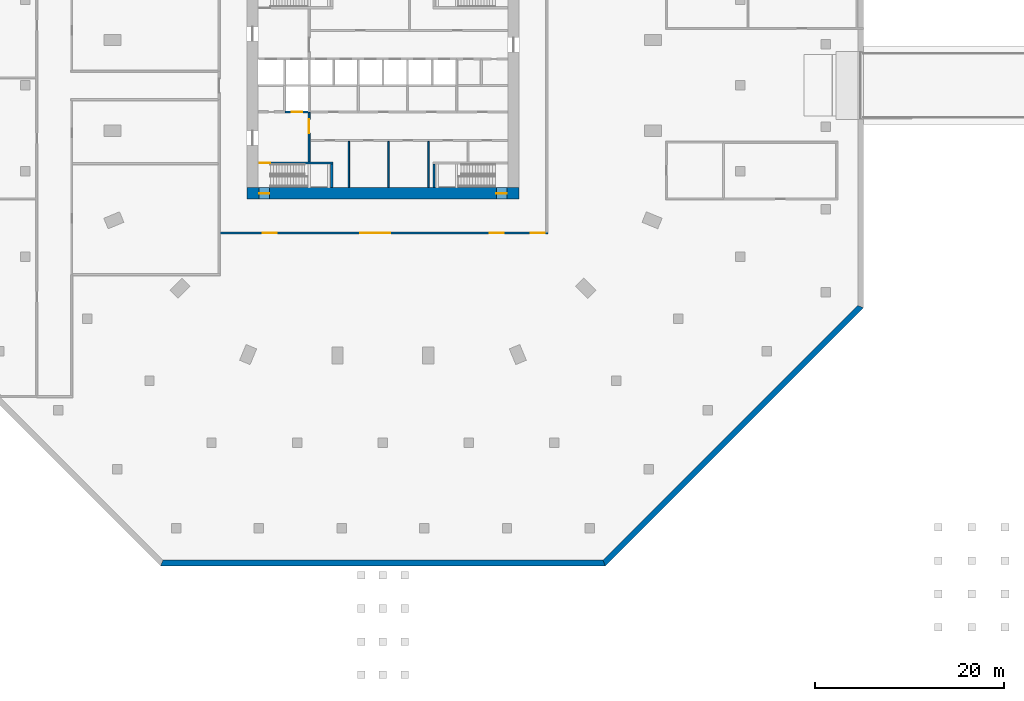
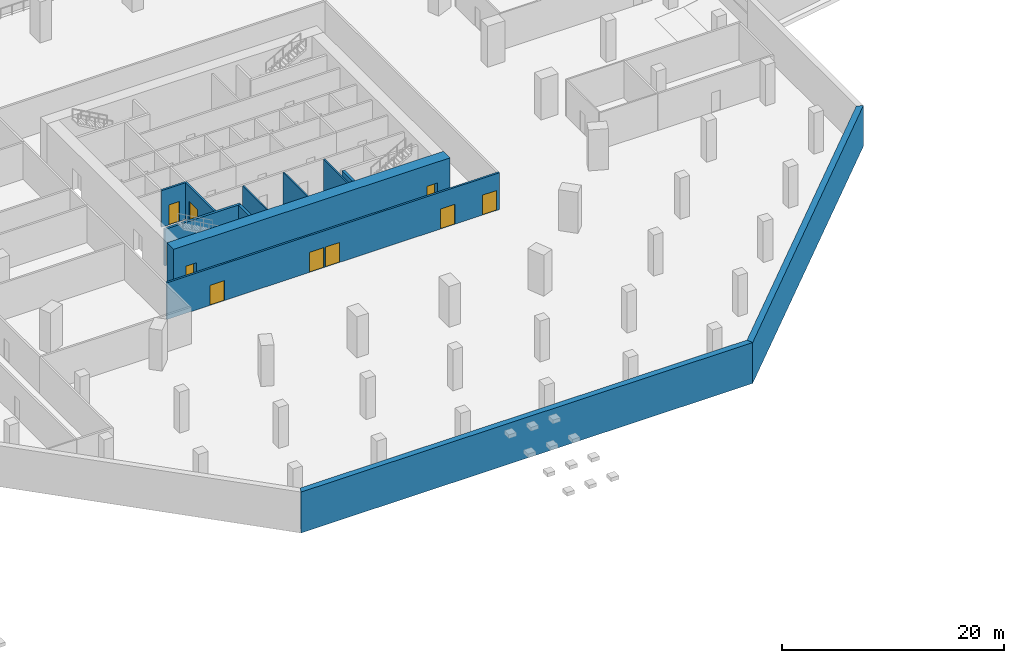
# One storey, part 5 of 11: 12 walls, 10 doors, 10 openings.
"""IFC4 building model written with IfcOpenShell, lengths in metres."""

from ifc_helpers import new_model, si_unit, direction, frame, frame_2d, origin, place, context, subcontext, project, spatial, polyline, rectangle, outline, extrude, material, layer, layer_set, type_object, element, fill, save


model = new_model("IFC4")

# Units and contexts
model_context = context("Model", 3, precision=1e-05, world=origin(), true_north=direction((0.0, 1.0)))
body_context = subcontext(model_context, "Body", "Model", "MODEL_VIEW")
ifc_project = project(units=[si_unit("LENGTHUNIT", "METRE"), si_unit("AREAUNIT", "SQUARE_METRE"), si_unit("VOLUMEUNIT", "CUBIC_METRE"), si_unit("PLANEANGLEUNIT", "RADIAN"), si_unit("MASSUNIT", "GRAM", prefix="KILO")], contexts=[model_context])

# Site, building, storey
site_placement = place(None, origin())
site = spatial("IfcSite", under=ifc_project, at=site_placement, CompositionType="ELEMENT")
building_placement = place(site_placement, origin())
building = spatial("IfcBuilding", under=site, at=building_placement, Name="Msitu Wima Residences", CompositionType="ELEMENT")
storey_placement = place(building_placement, frame((0.0, 0.0, -4.5)))
storey = spatial("IfcBuildingStorey", under=building, at=storey_placement, Name="B1", CompositionType="ELEMENT", Elevation=-4.5)

# Wall, openings, doors
ifc_material_1 = material(Name="Concrete C80/95", Category="concrete")
ifc_layer_1 = layer(ifc_material_1, 1.199951171875)
ifc_layer_set_1 = layer_set([ifc_layer_1], Name="Concrete C80/95")
wall_type_1 = type_object("IfcWallType", Name="Core wall CW1200 C80/95", PredefinedType="SHEAR", material=ifc_layer_set_1)
wall_1_placement = place(storey_placement, frame((-14.39990234375, -11.39990234375, 0.0), z_axis=(0.0, 0.0, 1.0), x_axis=(1.0, 0.0, 0.0)))
wall_1 = element("IfcWall", 1, at=wall_1_placement, inside=storey, type_object=wall_type_1, Name="Core wall", PredefinedType="SHEAR", context=body_context, shape_type="SweptSolid", body=[
    extrude(rectangle(XDim=28.7998046875, YDim=1.199951171875, at=frame_2d((14.39990234375, 0.0))), origin(), (0.0, 0.0, 1.0), 4.5),
])
opening_1_placement = place(wall_1_placement, frame((1.300048828125, 0.0, 0.0)))
opening_1 = element("IfcOpeningElement", 2, at=opening_1_placement, cuts=wall_1, Name="Opening DB1.041", PredefinedType="OPENING", context=body_context, shape_type="SweptSolid", body=[
    extrude(rectangle(XDim=1.10009765625, YDim=2.199951171875, at=frame_2d((0.550048828125, 1.10009765625))), frame((0.0, 0.60986328125, 0.0), z_axis=(0.0, -1.0, 0.0), x_axis=(1.0, 0.0, 0.0)), (0.0, 0.0, 1.0), 1.219970703125),
])
opening_2_placement = place(wall_1_placement, frame((26.39990234375, 0.0, 0.0)))
opening_2 = element("IfcOpeningElement", 3, at=opening_2_placement, cuts=wall_1, Name="Opening DB1.043", PredefinedType="OPENING", context=body_context, shape_type="SweptSolid", body=[
    extrude(rectangle(XDim=1.10009765625, YDim=2.199951171875, at=frame_2d((0.550048828125, 1.10009765625))), frame((0.0, 0.60986328125, 0.0), z_axis=(0.0, -1.0, 0.0), x_axis=(1.0, 0.0, 0.0)), (0.0, 0.0, 1.0), 1.219970703125),
])
ifc_material_2 = material(Name="Steel door, fire resisting, panic bar", Category="steel")
door_type_1 = type_object("IfcDoorType", Name="Stair door D06 1100x2200", OperationType="SINGLE_SWING_LEFT", PredefinedType="DOOR", material=ifc_material_2)
door_1_placement = place(opening_1_placement, origin())
door_1 = element("IfcDoor", 4, at=door_1_placement, inside=storey, type_object=door_type_1, Name="Stair door", OperationType="SINGLE_SWING_LEFT", OverallHeight=2.199951171875, OverallWidth=1.10009765625, PredefinedType="DOOR", context=body_context, shape_type="SweptSolid", body=[
    extrude(rectangle(XDim=1.10009765625, YDim=2.199951171875, at=frame_2d((0.550048828125, 1.10009765625))), frame((0.0, 0.02490234375, 0.0), z_axis=(0.0, -1.0, 0.0), x_axis=(1.0, 0.0, 0.0)), (0.0, 0.0, 1.0), 0.050048828125),
])
fill(opening_1, door_1)
door_2_placement = place(opening_2_placement, origin())
door_2 = element("IfcDoor", 5, at=door_2_placement, inside=storey, type_object=door_type_1, Name="Stair door", OperationType="SINGLE_SWING_RIGHT", OverallHeight=2.199951171875, OverallWidth=1.10009765625, PredefinedType="DOOR", context=body_context, shape_type="SweptSolid", body=[
    extrude(rectangle(XDim=1.10009765625, YDim=2.199951171875, at=frame_2d((0.550048828125, 1.10009765625))), frame((0.0, 0.02490234375, 0.0), z_axis=(0.0, -1.0, 0.0), x_axis=(1.0, 0.0, 0.0)), (0.0, 0.0, 1.0), 0.050048828125),
])
fill(opening_2, door_2)

ifc_material_3 = material(Name="Plaster")
ifc_layer_2 = layer(ifc_material_3, 0.011962890625, Name="Plaster")
ifc_material_4 = material(Name="Concrete blockwork", Category="masonry")
ifc_layer_3 = layer(ifc_material_4, 0.176025390625, Name="Concrete blockwork")
ifc_layer_4 = layer(ifc_material_3, 0.011962890625, Name="Plaster")
ifc_layer_set_2 = layer_set([ifc_layer_2, ifc_layer_3, ifc_layer_4], Name="Concrete blockwork")
wall_type_2 = type_object("IfcWallType", Name="Corridor wall FW200", PredefinedType="PARTITIONING", material=ifc_layer_set_2)
wall_2_placement = place(storey_placement, frame((-17.22802734375, -15.60009765625, 0.0), z_axis=(0.0, 0.0, 1.0), x_axis=(1.0, 0.0, 0.0)))
wall_2 = element("IfcWall", 6, at=wall_2_placement, inside=storey, type_object=wall_type_2, Name="Corridor wall", PredefinedType="PARTITIONING", context=body_context, shape_type="SweptSolid", body=[
    extrude(rectangle(XDim=34.656005859375, YDim=0.199951171875, at=frame_2d((17.328125, 0.0))), origin(), (0.0, 0.0, 1.0), 4.048095703125),
])
opening_3_placement = place(wall_2_placement, frame((16.5, 0.0, 0.0)))
opening_3 = element("IfcOpeningElement", 7, at=opening_3_placement, cuts=wall_2, Name="Opening DB1.019", PredefinedType="OPENING", context=body_context, shape_type="SweptSolid", body=[
    extrude(rectangle(XDim=1.5, YDim=2.199951171875, at=frame_2d((0.75, 1.10009765625))), frame((0.0, 0.10986328125, 0.0), z_axis=(0.0, -1.0, 0.0), x_axis=(1.0, 0.0, 0.0)), (0.0, 0.0, 1.0), 0.219970703125),
])
opening_4_placement = place(wall_2_placement, frame((32.85009765625, 0.0, 0.0)))
opening_4 = element("IfcOpeningElement", 8, at=opening_4_placement, cuts=wall_2, Name="Opening DB1.020", PredefinedType="OPENING", context=body_context, shape_type="SweptSolid", body=[
    extrude(rectangle(XDim=1.5, YDim=2.199951171875, at=frame_2d((0.75, 1.10009765625))), frame((0.0, 0.10986328125, 0.0), z_axis=(0.0, -1.0, 0.0), x_axis=(1.0, 0.0, 0.0)), (0.0, 0.0, 1.0), 0.219970703125),
])
opening_5_placement = place(wall_2_placement, frame((14.85009765625, 0.0, 0.0)))
opening_5 = element("IfcOpeningElement", 9, at=opening_5_placement, cuts=wall_2, Name="Opening DB1.021", PredefinedType="OPENING", context=body_context, shape_type="SweptSolid", body=[
    extrude(rectangle(XDim=1.5, YDim=2.199951171875, at=frame_2d((0.75, 1.10009765625))), frame((0.0, 0.10986328125, 0.0), z_axis=(0.0, -1.0, 0.0), x_axis=(1.0, 0.0, 0.0)), (0.0, 0.0, 1.0), 0.219970703125),
])
opening_6_placement = place(wall_2_placement, frame((4.5, 0.0, 0.0)))
opening_6 = element("IfcOpeningElement", 10, at=opening_6_placement, cuts=wall_2, Name="Opening DB1.022", PredefinedType="OPENING", context=body_context, shape_type="SweptSolid", body=[
    extrude(rectangle(XDim=1.5, YDim=2.199951171875, at=frame_2d((0.75, 1.10009765625))), frame((0.0, 0.10986328125, 0.0), z_axis=(0.0, -1.0, 0.0), x_axis=(1.0, 0.0, 0.0)), (0.0, 0.0, 1.0), 0.219970703125),
])
opening_7_placement = place(wall_2_placement, frame((28.5, 0.0, 0.0)))
opening_7 = element("IfcOpeningElement", 11, at=opening_7_placement, cuts=wall_2, Name="Opening DB1.023", PredefinedType="OPENING", context=body_context, shape_type="SweptSolid", body=[
    extrude(rectangle(XDim=1.5, YDim=2.199951171875, at=frame_2d((0.75, 1.10009765625))), frame((0.0, 0.10986328125, 0.0), z_axis=(0.0, -1.0, 0.0), x_axis=(1.0, 0.0, 0.0)), (0.0, 0.0, 1.0), 0.219970703125),
])
ifc_material_5 = material(Name="Timber double door", Category="wood")
door_type_2 = type_object("IfcDoorType", Name="Double door D04 1500x2200", OperationType="DOUBLE_DOOR_SINGLE_SWING", PredefinedType="DOOR", material=ifc_material_5)
door_3_placement = place(opening_3_placement, origin())
door_3 = element("IfcDoor", 12, at=door_3_placement, inside=storey, type_object=door_type_2, Name="Double door", OperationType="DOUBLE_DOOR_SINGLE_SWING", OverallHeight=2.199951171875, OverallWidth=1.5, PredefinedType="DOOR", context=body_context, shape_type="SweptSolid", body=[
    extrude(rectangle(XDim=1.5, YDim=2.199951171875, at=frame_2d((0.75, 1.10009765625))), frame((0.0, 0.02490234375, 0.0), z_axis=(0.0, -1.0, 0.0), x_axis=(1.0, 0.0, 0.0)), (0.0, 0.0, 1.0), 0.050048828125),
])
fill(opening_3, door_3)
door_4_placement = place(opening_4_placement, origin())
door_4 = element("IfcDoor", 13, at=door_4_placement, inside=storey, type_object=door_type_2, Name="Double door", OperationType="DOUBLE_DOOR_SINGLE_SWING", OverallHeight=2.199951171875, OverallWidth=1.5, PredefinedType="DOOR", context=body_context, shape_type="SweptSolid", body=[
    extrude(rectangle(XDim=1.5, YDim=2.199951171875, at=frame_2d((0.75, 1.10009765625))), frame((0.0, 0.02490234375, 0.0), z_axis=(0.0, -1.0, 0.0), x_axis=(1.0, 0.0, 0.0)), (0.0, 0.0, 1.0), 0.050048828125),
])
fill(opening_4, door_4)
door_5_placement = place(opening_5_placement, origin())
door_5 = element("IfcDoor", 14, at=door_5_placement, inside=storey, type_object=door_type_2, Name="Double door", OperationType="DOUBLE_DOOR_SINGLE_SWING", OverallHeight=2.199951171875, OverallWidth=1.5, PredefinedType="DOOR", context=body_context, shape_type="SweptSolid", body=[
    extrude(rectangle(XDim=1.5, YDim=2.199951171875, at=frame_2d((0.75, 1.10009765625))), frame((0.0, 0.02490234375, 0.0), z_axis=(0.0, -1.0, 0.0), x_axis=(1.0, 0.0, 0.0)), (0.0, 0.0, 1.0), 0.050048828125),
])
fill(opening_5, door_5)
door_6_placement = place(opening_6_placement, origin())
door_6 = element("IfcDoor", 15, at=door_6_placement, inside=storey, type_object=door_type_2, Name="Double door", OperationType="DOUBLE_DOOR_SINGLE_SWING", OverallHeight=2.199951171875, OverallWidth=1.5, PredefinedType="DOOR", context=body_context, shape_type="SweptSolid", body=[
    extrude(rectangle(XDim=1.5, YDim=2.199951171875, at=frame_2d((0.75, 1.10009765625))), frame((0.0, 0.02490234375, 0.0), z_axis=(0.0, -1.0, 0.0), x_axis=(1.0, 0.0, 0.0)), (0.0, 0.0, 1.0), 0.050048828125),
])
fill(opening_6, door_6)
door_7_placement = place(opening_7_placement, origin())
door_7 = element("IfcDoor", 16, at=door_7_placement, inside=storey, type_object=door_type_2, Name="Double door", OperationType="DOUBLE_DOOR_SINGLE_SWING", OverallHeight=2.199951171875, OverallWidth=1.5, PredefinedType="DOOR", context=body_context, shape_type="SweptSolid", body=[
    extrude(rectangle(XDim=1.5, YDim=2.199951171875, at=frame_2d((0.75, 1.10009765625))), frame((0.0, 0.02490234375, 0.0), z_axis=(0.0, -1.0, 0.0), x_axis=(1.0, 0.0, 0.0)), (0.0, 0.0, 1.0), 0.050048828125),
])
fill(opening_7, door_7)

# Wall, opening, door
wall_3_placement = place(storey_placement, frame((-7.800048828125, -8.074951171875, 0.0), z_axis=(0.0, 0.0, 1.0), x_axis=(0.0, 1.0, 0.0)))
wall_3 = element("IfcWall", 17, at=wall_3_placement, inside=storey, type_object=wall_type_2, Name="Corridor wall", PredefinedType="PARTITIONING", context=body_context, shape_type="SweptSolid", body=[
    extrude(rectangle(XDim=5.27490234375, YDim=0.199951171875, at=frame_2d((2.637451171875, 0.0))), origin(), (0.0, 0.0, 1.0), 4.048095703125),
])
opening_8_placement = place(wall_3_placement, frame((3.0, 0.0, 0.0)))
opening_8 = element("IfcOpeningElement", 18, at=opening_8_placement, cuts=wall_3, Name="Opening DB1.003", PredefinedType="OPENING", context=body_context, shape_type="SweptSolid", body=[
    extrude(rectangle(XDim=1.5, YDim=2.39990234375, at=frame_2d((0.75, 1.199951171875))), frame((0.0, 0.10986328125, 0.0), z_axis=(0.0, -1.0, 0.0), x_axis=(1.0, 0.0, 0.0)), (0.0, 0.0, 1.0), 0.219970703125),
])
ifc_material_6 = material(Name="Steel framed glazed door, fire resisting", Category="steel")
door_type_3 = type_object("IfcDoorType", Name="Lobby door D07 1500x2400", OperationType="DOUBLE_DOOR_SINGLE_SWING", PredefinedType="DOOR", material=ifc_material_6)
door_8_placement = place(opening_8_placement, origin())
door_8 = element("IfcDoor", 19, at=door_8_placement, inside=storey, type_object=door_type_3, Name="Lobby door", OperationType="DOUBLE_DOOR_SINGLE_SWING", OverallHeight=2.39990234375, OverallWidth=1.5, PredefinedType="DOOR", context=body_context, shape_type="SweptSolid", body=[
    extrude(rectangle(XDim=1.5, YDim=2.39990234375, at=frame_2d((0.75, 1.199951171875))), frame((0.0, 0.02490234375, 0.0), z_axis=(0.0, -1.0, 0.0), x_axis=(1.0, 0.0, 0.0)), (0.0, 0.0, 1.0), 0.050048828125),
])
fill(opening_8, door_8)

# Walls
ifc_layer_5 = layer(ifc_material_3, 0.011962890625, Name="Plaster")
ifc_layer_6 = layer(ifc_material_4, 0.1259765625, Name="Concrete blockwork")
ifc_layer_7 = layer(ifc_material_3, 0.011962890625, Name="Plaster")
ifc_layer_set_3 = layer_set([ifc_layer_5, ifc_layer_6, ifc_layer_7], Name="Concrete blockwork")
wall_type_3 = type_object("IfcWallType", Name="Partition PW150", PredefinedType="PARTITIONING", material=ifc_layer_set_3)
for number, where, z_axis, x_axis, name in (
    (20, (-3.60009765625, -10.77001953125, 0.0), (0.0, 0.0, 1.0), (0.0, 1.0, 0.0), "Partition"),
    (21, (0.60009765625, -10.77001953125, 0.0), (0.0, 0.0, 1.0), (0.0, 1.0, 0.0), "Partition"),
    (22, (4.800048828125, -10.77001953125, 0.0), (0.0, 0.0, 1.0), (0.0, 1.0, 0.0), "Partition"),
):
    element("IfcWall", number, at=place(storey_placement, frame(where, z_axis=z_axis, x_axis=x_axis)), inside=storey, type_object=wall_type_3, Name=name, PredefinedType="PARTITIONING", context=body_context, shape_type="SweptSolid", body=[
        extrude(rectangle(XDim=4.8701171875, YDim=0.14990234375, at=frame_2d((2.43505859375, 0.0))), origin(), (0.0, 0.0, 1.0), 4.048095703125),
    ])
ifc_material_7 = material(Name="Concrete C60/75", Category="concrete")
ifc_layer_8 = layer(ifc_material_7, 0.60009765625)
ifc_layer_set_4 = layer_set([ifc_layer_8], Name="Concrete C60/75")
wall_type_4 = type_object("IfcWallType", Name="Retaining wall RW600", PredefinedType="SOLIDWALL", material=ifc_layer_set_4)
wall_4_placement = place(storey_placement, origin())
element("IfcWall", 23, at=wall_4_placement, inside=storey, type_object=wall_type_4, Name="Basement retaining wall S B1", PredefinedType="SOLIDWALL", context=body_context, shape_type="SweptSolid", body=[
    extrude(outline(polyline([(-23.5126953125, -50.800048828125), (23.5126953125, -50.800048828125), (23.26416015625, -50.199951171875), (-23.26416015625, -50.199951171875), (-23.5126953125, -50.800048828125)])), origin(), (0.0, 0.0, 1.0), 4.5),
])
wall_5_placement = place(storey_placement, origin())
element("IfcWall", 24, at=wall_5_placement, inside=storey, type_object=wall_type_4, Name="Basement retaining wall SE B1", PredefinedType="SOLIDWALL", context=body_context, shape_type="SweptSolid", body=[
    extrude(outline(polyline([(23.5126953125, -50.800048828125), (50.800048828125, -23.5126953125), (50.199951171875, -23.26416015625), (23.26416015625, -50.199951171875), (23.5126953125, -50.800048828125)])), origin(), (0.0, 0.0, 1.0), 4.5),
])

# Wall, opening, door
ifc_material_8 = material(Name="Fire-rated board")
ifc_layer_9 = layer(ifc_material_8, 0.02490234375, Name="Fire-rated board")
ifc_material_9 = material(Name="Light-gauge stud framing with mineral wool")
ifc_layer_10 = layer(ifc_material_9, 0.14990234375, Name="Light-gauge stud framing with mineral wool")
ifc_layer_11 = layer(ifc_material_8, 0.02490234375, Name="Fire-rated board")
ifc_layer_set_5 = layer_set([ifc_layer_9, ifc_layer_10, ifc_layer_11], Name="Light-gauge stud framing with mineral wool")
wall_type_5 = type_object("IfcWallType", Name="Shaft wall SH200", PredefinedType="PARTITIONING", material=ifc_layer_set_5)
wall_6_placement = place(storey_placement, frame((-10.3798828125, -2.800048828125, 0.0), z_axis=(0.0, 0.0, 1.0), x_axis=(1.0, 0.0, 0.0)))
wall_6 = element("IfcWall", 25, at=wall_6_placement, inside=storey, type_object=wall_type_5, Name="Shaft wall", PredefinedType="PARTITIONING", context=body_context, shape_type="SweptSolid", body=[
    extrude(rectangle(XDim=2.559814453125, YDim=0.199951171875, at=frame_2d((1.27978515625, 0.0))), origin(), (0.0, 0.0, 1.0), 4.048095703125),
])
opening_9_placement = place(wall_6_placement, frame((0.75, 0.0, 0.0)))
opening_9 = element("IfcOpeningElement", 26, at=opening_9_placement, cuts=wall_6, Name="Opening LD", PredefinedType="OPENING", context=body_context, shape_type="SweptSolid", body=[
    extrude(rectangle(XDim=1.10009765625, YDim=2.199951171875, at=frame_2d((0.550048828125, 1.10009765625))), frame((0.0, 0.10986328125, 0.0), z_axis=(0.0, -1.0, 0.0), x_axis=(1.0, 0.0, 0.0)), (0.0, 0.0, 1.0), 0.219970703125),
])
ifc_material_10 = material(Name="Stainless steel centre-opening landing door, rated", Category="steel")
door_type_4 = type_object("IfcDoorType", Name="Lift landing door LD 1100x2200", OperationType="DOUBLE_DOOR_SLIDING", PredefinedType="DOOR", material=ifc_material_10)
door_9_placement = place(opening_9_placement, origin())
door_9 = element("IfcDoor", 27, at=door_9_placement, inside=storey, type_object=door_type_4, Name="Lift landing door LD3", OperationType="DOUBLE_DOOR_SLIDING", OverallHeight=2.199951171875, OverallWidth=1.10009765625, PredefinedType="DOOR", context=body_context, shape_type="SweptSolid", body=[
    extrude(rectangle(XDim=1.10009765625, YDim=2.199951171875, at=frame_2d((0.550048828125, 1.10009765625))), frame((0.0, 0.02490234375, 0.0), z_axis=(0.0, -1.0, 0.0), x_axis=(1.0, 0.0, 0.0)), (0.0, 0.0, 1.0), 0.050048828125),
])
fill(opening_9, door_9)

ifc_material_11 = material(Name="Concrete C50/60", Category="concrete")
ifc_layer_12 = layer(ifc_material_11, 0.25)
ifc_layer_set_6 = layer_set([ifc_layer_12], Name="Concrete C50/60")
wall_type_6 = type_object("IfcWallType", Name="Stair enclosure wall SW250", PredefinedType="SHEAR", material=ifc_layer_set_6)
wall_7_placement = place(storey_placement, frame((-13.169921875, -8.199951171875, 0.0), z_axis=(0.0, 0.0, 1.0), x_axis=(1.0, 0.0, 0.0)))
wall_7 = element("IfcWall", 28, at=wall_7_placement, inside=storey, type_object=wall_type_6, Name="Stair enclosure wall", PredefinedType="SHEAR", context=body_context, shape_type="SweptSolid", body=[
    extrude(rectangle(XDim=7.89501953125, YDim=0.25, at=frame_2d((3.947509765625, 0.0))), origin(), (0.0, 0.0, 1.0), 4.048095703125),
])
opening_10_placement = place(wall_7_placement, frame((0.14990234375, 0.0, 0.0)))
opening_10 = element("IfcOpeningElement", 29, at=opening_10_placement, cuts=wall_7, Name="Opening DB1.018", PredefinedType="OPENING", context=body_context, shape_type="SweptSolid", body=[
    extrude(rectangle(XDim=1.10009765625, YDim=2.199951171875, at=frame_2d((0.550048828125, 1.10009765625))), frame((0.0, 0.135009765625, 0.0), z_axis=(0.0, -1.0, 0.0), x_axis=(1.0, 0.0, 0.0)), (0.0, 0.0, 1.0), 0.27001953125),
])
door_10_placement = place(opening_10_placement, origin())
door_10 = element("IfcDoor", 30, at=door_10_placement, inside=storey, type_object=door_type_1, Name="Stair door", OperationType="SINGLE_SWING_RIGHT", OverallHeight=2.199951171875, OverallWidth=1.10009765625, PredefinedType="DOOR", context=body_context, shape_type="SweptSolid", body=[
    extrude(rectangle(XDim=1.10009765625, YDim=2.199951171875, at=frame_2d((0.550048828125, 1.10009765625))), frame((0.0, 0.02490234375, 0.0), z_axis=(0.0, -1.0, 0.0), x_axis=(1.0, 0.0, 0.0)), (0.0, 0.0, 1.0), 0.050048828125),
])
fill(opening_10, door_10)

# Walls
for number, where, z_axis, x_axis, name in (
    (31, (-5.39990234375, -10.77001953125, 0.0), (0.0, 0.0, 1.0), (0.0, 1.0, 0.0), "Stair enclosure wall"),
    (32, (5.39990234375, -10.77001953125, 0.0), (0.0, 0.0, 1.0), (0.0, 1.0, 0.0), "Stair enclosure wall"),
):
    element("IfcWall", number, at=place(storey_placement, frame(where, z_axis=z_axis, x_axis=x_axis)), inside=storey, type_object=wall_type_6, Name=name, PredefinedType="SHEAR", context=body_context, shape_type="SweptSolid", body=[
        extrude(rectangle(XDim=2.445068359375, YDim=0.25, at=frame_2d((1.22265625, 0.0))), origin(), (0.0, 0.0, 1.0), 4.048095703125),
    ])

save(model, "model.ifc")
